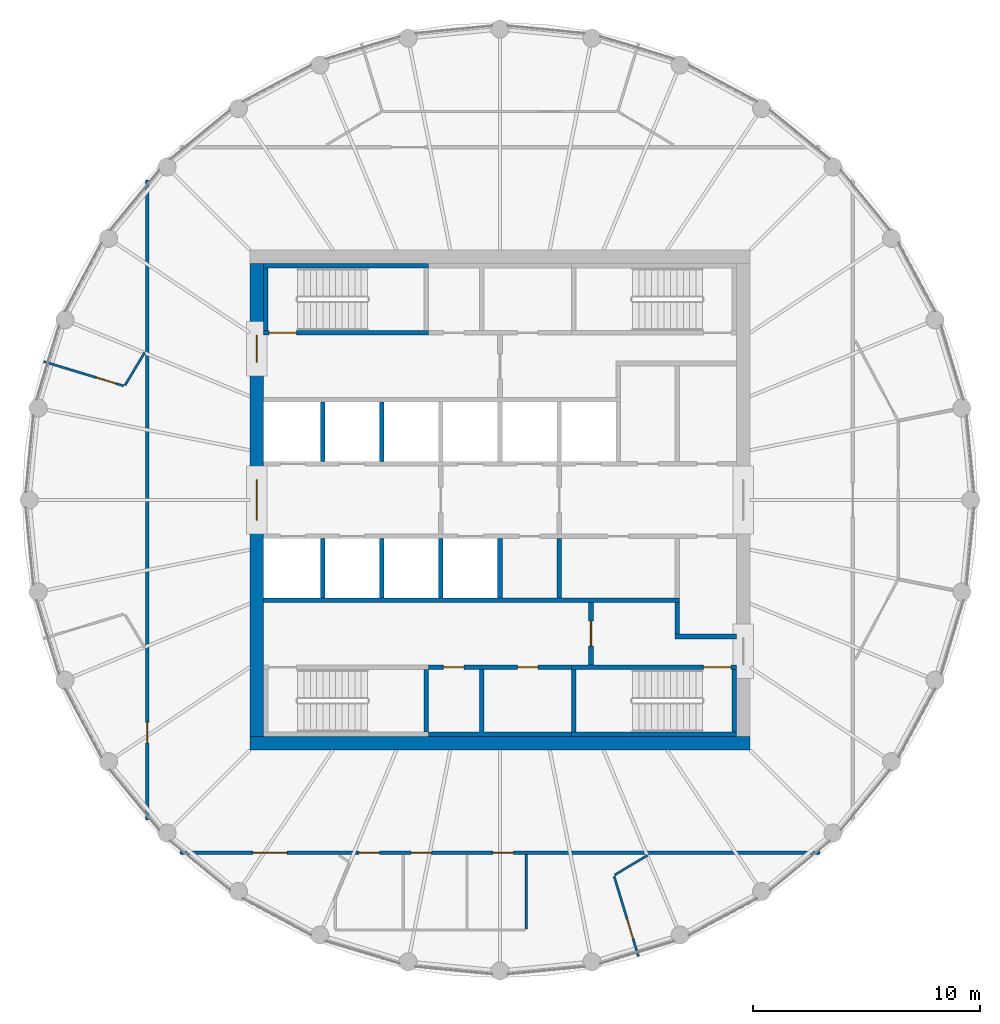
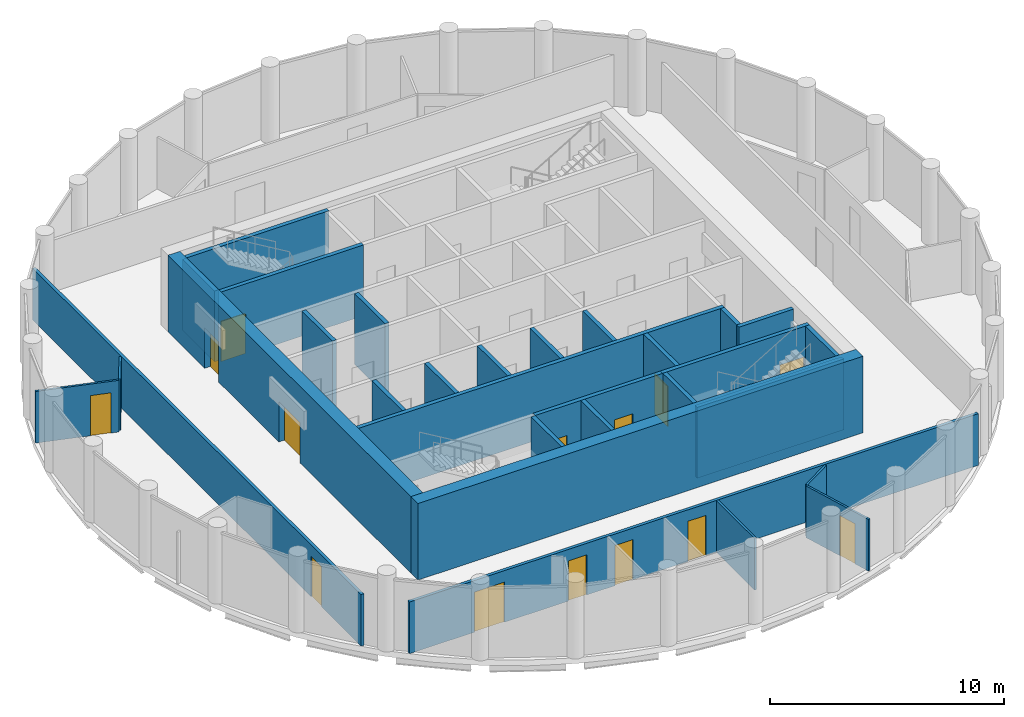
# One storey, part 4 of 7: 30 walls, 14 doors, 14 openings.
"""IFC4 building model written with IfcOpenShell, lengths in metres."""

from ifc_helpers import new_model, si_unit, direction, frame, frame_2d, origin, place, context, subcontext, project, spatial, polyline, rectangle, outline, extrude, material, layer, layer_set, type_object, element, fill, save


model = new_model("IFC4")

# Units and contexts
model_context = context("Model", 3, precision=1e-05, world=origin(), true_north=direction((0.0, 1.0)))
body_context = subcontext(model_context, "Body", "Model", "MODEL_VIEW")
ifc_project = project(units=[si_unit("LENGTHUNIT", "METRE"), si_unit("AREAUNIT", "SQUARE_METRE"), si_unit("VOLUMEUNIT", "CUBIC_METRE"), si_unit("PLANEANGLEUNIT", "RADIAN"), si_unit("MASSUNIT", "GRAM", prefix="KILO")], contexts=[model_context])

# Site, building, storey
site_placement = place(None, origin())
site = spatial("IfcSite", under=ifc_project, at=site_placement, CompositionType="ELEMENT")
building_placement = place(site_placement, origin())
building = spatial("IfcBuilding", under=site, at=building_placement, Name="Corvane Civic Tower", CompositionType="ELEMENT")
storey_placement = place(building_placement, frame((0.0, 0.0, 372.5)))
storey = spatial("IfcBuildingStorey", under=building, at=storey_placement, Name="L89", CompositionType="ELEMENT", Elevation=372.5)

# Wall
ifc_material_1 = material(Name="Concrete C40/50", Category="concrete")
ifc_layer_1 = layer(ifc_material_1, 0.60009765625)
ifc_layer_set_1 = layer_set([ifc_layer_1], Name="Concrete C40/50")
wall_type_1 = type_object("IfcWallType", Name="CORE WALL 600 C40/50", PredefinedType="SHEAR", material=ifc_layer_set_1)
wall_1_placement = place(storey_placement, frame((-11.0, -10.699951171875, 0.0), z_axis=(0.0, 0.0, 1.0), x_axis=(1.0, 0.0, 0.0)))
element("IfcWall", 1, at=wall_1_placement, inside=storey, type_object=wall_type_1, Name="W-L89-core-S", PredefinedType="SHEAR", context=body_context, shape_type="SweptSolid", body=[
    extrude(rectangle(XDim=22.0, YDim=0.60009765625, at=frame_2d((11.0, 0.0))), origin(), (0.0, 0.0, 1.0), 4.0),
])

# Wall, openings, doors
wall_2_placement = place(storey_placement, frame((-10.699951171875, -10.39990234375, 0.0), z_axis=(0.0, 0.0, 1.0), x_axis=(0.0, 1.0, 0.0)))
wall_2 = element("IfcWall", 2, at=wall_2_placement, inside=storey, type_object=wall_type_1, Name="W-L89-core-W", PredefinedType="SHEAR", context=body_context, shape_type="SweptSolid", body=[
    extrude(rectangle(XDim=20.7998046875, YDim=0.60009765625, at=frame_2d((10.39990234375, 0.0))), origin(), (0.0, 0.0, 1.0), 4.0),
])
opening_1_placement = place(wall_2_placement, frame((9.5, 0.0, 0.0)))
opening_1 = element("IfcOpeningElement", 3, at=opening_1_placement, cuts=wall_2, Name="Opening L89.C18", PredefinedType="OPENING", context=body_context, shape_type="SweptSolid", body=[
    extrude(rectangle(XDim=1.800048828125, YDim=2.10009765625, at=frame_2d((0.89990234375, 1.050048828125))), frame((0.0, 0.31005859375, 0.0), z_axis=(0.0, -1.0, 0.0), x_axis=(1.0, 0.0, 0.0)), (0.0, 0.0, 1.0), 0.6201171875),
])
opening_2_placement = place(wall_2_placement, frame((16.449951171875, 0.0, 0.0)))
opening_2 = element("IfcOpeningElement", 4, at=opening_2_placement, cuts=wall_2, Name="Opening L89.C20", PredefinedType="OPENING", context=body_context, shape_type="SweptSolid", body=[
    extrude(rectangle(XDim=1.199951171875, YDim=2.10009765625, at=frame_2d((0.60009765625, 1.050048828125))), frame((0.0, 0.31005859375, 0.0), z_axis=(0.0, -1.0, 0.0), x_axis=(1.0, 0.0, 0.0)), (0.0, 0.0, 1.0), 0.6201171875),
])
ifc_material_2 = material(Name="Steel fire door leaf", Category="steel")
door_type_1 = type_object("IfcDoorType", Name="CR-DOOR-CORE-1800", OperationType="DOUBLE_DOOR_SINGLE_SWING", PredefinedType="DOOR", material=ifc_material_2)
door_1_placement = place(opening_1_placement, origin())
door_1 = element("IfcDoor", 5, at=door_1_placement, inside=storey, type_object=door_type_1, Name="L89 door", OperationType="DOUBLE_DOOR_SINGLE_SWING", OverallHeight=2.10009765625, OverallWidth=1.800048828125, PredefinedType="DOOR", context=body_context, shape_type="SweptSolid", body=[
    extrude(rectangle(XDim=1.800048828125, YDim=2.10009765625, at=frame_2d((0.89990234375, 1.050048828125))), frame((0.0, 0.02490234375, 0.0), z_axis=(0.0, -1.0, 0.0), x_axis=(1.0, 0.0, 0.0)), (0.0, 0.0, 1.0), 0.050048828125),
])
fill(opening_1, door_1)
door_2_placement = place(opening_2_placement, origin())
door_2 = element("IfcDoor", 6, at=door_2_placement, inside=storey, type_object=door_type_1, Name="L89 door", OperationType="DOUBLE_DOOR_SINGLE_SWING", OverallHeight=2.10009765625, OverallWidth=1.199951171875, PredefinedType="DOOR", context=body_context, shape_type="SweptSolid", body=[
    extrude(rectangle(XDim=1.199951171875, YDim=2.10009765625, at=frame_2d((0.60009765625, 1.050048828125))), frame((0.0, 0.02490234375, 0.0), z_axis=(0.0, -1.0, 0.0), x_axis=(1.0, 0.0, 0.0)), (0.0, 0.0, 1.0), 0.050048828125),
])
fill(opening_2, door_2)

ifc_material_3 = material(Name="Concrete C30/37", Category="concrete")
ifc_layer_2 = layer(ifc_material_3, 0.199951171875)
ifc_layer_set_2 = layer_set([ifc_layer_2], Name="Concrete C30/37")
wall_type_2 = type_object("IfcWallType", Name="CR-WALL-200", PredefinedType="PARTITIONING", material=ifc_layer_set_2)
wall_3_placement = place(storey_placement, frame((-3.14990234375, -7.35009765625, 0.0), z_axis=(0.0, 0.0, 1.0), x_axis=(1.0, 0.0, 0.0)))
wall_3 = element("IfcWall", 7, at=wall_3_placement, inside=storey, type_object=wall_type_2, Name="L89 core partition wall", PredefinedType="PARTITIONING", context=body_context, shape_type="SweptSolid", body=[
    extrude(rectangle(XDim=6.2998046875, YDim=0.199951171875, at=frame_2d((3.14990234375, 0.0))), origin(), (0.0, 0.0, 1.0), 3.699951171875),
])
opening_3_placement = place(wall_3_placement, frame((0.675048828125, 0.0, 0.0)))
opening_3 = element("IfcOpeningElement", 8, at=opening_3_placement, cuts=wall_3, Name="Opening L89.C08", PredefinedType="OPENING", context=body_context, shape_type="SweptSolid", body=[
    extrude(rectangle(XDim=0.89990234375, YDim=2.10009765625, at=frame_2d((0.449951171875, 1.050048828125))), frame((0.0, 0.10986328125, 0.0), z_axis=(0.0, -1.0, 0.0), x_axis=(1.0, 0.0, 0.0)), (0.0, 0.0, 1.0), 0.219970703125),
])
opening_4_placement = place(wall_3_placement, frame((3.925048828125, 0.0, 0.0)))
opening_4 = element("IfcOpeningElement", 9, at=opening_4_placement, cuts=wall_3, Name="Opening L89.C09", PredefinedType="OPENING", context=body_context, shape_type="SweptSolid", body=[
    extrude(rectangle(XDim=0.89990234375, YDim=2.10009765625, at=frame_2d((0.449951171875, 1.050048828125))), frame((0.0, 0.10986328125, 0.0), z_axis=(0.0, -1.0, 0.0), x_axis=(1.0, 0.0, 0.0)), (0.0, 0.0, 1.0), 0.219970703125),
])
ifc_material_4 = material(Name="Steel fire door leaf", Category="steel")
door_type_2 = type_object("IfcDoorType", Name="CR-DOOR-900", OperationType="SINGLE_SWING_LEFT", PredefinedType="DOOR", material=ifc_material_4)
door_3_placement = place(opening_3_placement, origin())
door_3 = element("IfcDoor", 10, at=door_3_placement, inside=storey, type_object=door_type_2, Name="L89 door", OperationType="SINGLE_SWING_LEFT", OverallHeight=2.10009765625, OverallWidth=0.89990234375, PredefinedType="DOOR", context=body_context, shape_type="SweptSolid", body=[
    extrude(rectangle(XDim=0.89990234375, YDim=2.10009765625, at=frame_2d((0.449951171875, 1.050048828125))), frame((0.0, 0.02490234375, 0.0), z_axis=(0.0, -1.0, 0.0), x_axis=(1.0, 0.0, 0.0)), (0.0, 0.0, 1.0), 0.050048828125),
])
fill(opening_3, door_3)
door_4_placement = place(opening_4_placement, origin())
door_4 = element("IfcDoor", 11, at=door_4_placement, inside=storey, type_object=door_type_2, Name="L89 door", OperationType="SINGLE_SWING_LEFT", OverallHeight=2.10009765625, OverallWidth=0.89990234375, PredefinedType="DOOR", context=body_context, shape_type="SweptSolid", body=[
    extrude(rectangle(XDim=0.89990234375, YDim=2.10009765625, at=frame_2d((0.449951171875, 1.050048828125))), frame((0.0, 0.02490234375, 0.0), z_axis=(0.0, -1.0, 0.0), x_axis=(1.0, 0.0, 0.0)), (0.0, 0.0, 1.0), 0.050048828125),
])
fill(opening_4, door_4)

# Wall, opening, door
wall_4_placement = place(storey_placement, frame((4.0, -7.25, 0.0), z_axis=(0.0, 0.0, 1.0), x_axis=(0.0, 1.0, 0.0)))
wall_4 = element("IfcWall", 12, at=wall_4_placement, inside=storey, type_object=wall_type_2, Name="L89 core partition wall", PredefinedType="PARTITIONING", context=body_context, shape_type="SweptSolid", body=[
    extrude(rectangle(XDim=2.75, YDim=0.199951171875, at=frame_2d((1.375, 0.0))), origin(), (0.0, 0.0, 1.0), 3.699951171875),
])
opening_5_placement = place(wall_4_placement, frame((0.824951171875, 0.0, 0.0)))
opening_5 = element("IfcOpeningElement", 13, at=opening_5_placement, cuts=wall_4, Name="Opening L89.C17", PredefinedType="OPENING", context=body_context, shape_type="SweptSolid", body=[
    extrude(rectangle(XDim=1.10009765625, YDim=2.10009765625, at=frame_2d((0.550048828125, 1.050048828125))), frame((0.0, 0.10986328125, 0.0), z_axis=(0.0, -1.0, 0.0), x_axis=(1.0, 0.0, 0.0)), (0.0, 0.0, 1.0), 0.219970703125),
])
ifc_material_5 = material(Name="Steel fire door leaf", Category="steel")
door_type_3 = type_object("IfcDoorType", Name="CR-DOOR-FFL-1100", OperationType="SINGLE_SWING_LEFT", PredefinedType="DOOR", material=ifc_material_5)
door_5_placement = place(opening_5_placement, origin())
door_5 = element("IfcDoor", 14, at=door_5_placement, inside=storey, type_object=door_type_3, Name="L89 lobby door", OperationType="SINGLE_SWING_LEFT", OverallHeight=2.10009765625, OverallWidth=1.10009765625, PredefinedType="DOOR", context=body_context, shape_type="SweptSolid", body=[
    extrude(rectangle(XDim=1.10009765625, YDim=2.10009765625, at=frame_2d((0.550048828125, 1.050048828125))), frame((0.0, 0.02490234375, 0.0), z_axis=(0.0, -1.0, 0.0), x_axis=(1.0, 0.0, 0.0)), (0.0, 0.0, 1.0), 0.050048828125),
])
fill(opening_5, door_5)

# Walls
wall_5_placement = place(storey_placement, origin())
element("IfcWall", 15, at=wall_5_placement, inside=storey, type_object=wall_type_2, Name="L89 core partition wall", PredefinedType="PARTITIONING", context=body_context, shape_type="SweptSolid", body=[
    extrude(outline(polyline([(7.89990234375, -4.300048828125), (7.89990234375, -4.5), (-10.39990234375, -4.5), (-10.39990234375, -4.300048828125), (7.89990234375, -4.300048828125)])), origin(), (0.0, 0.0, 1.0), 3.699951171875),
])
wall_6_placement = place(storey_placement, origin())
element("IfcWall", 16, at=wall_6_placement, inside=storey, type_object=wall_type_2, Name="L89 core partition wall", PredefinedType="PARTITIONING", context=body_context, shape_type="SweptSolid", body=[
    extrude(outline(polyline([(10.39990234375, -6.10009765625), (7.699951171875, -6.10009765625), (7.699951171875, -5.89990234375), (10.39990234375, -5.89990234375), (10.39990234375, -6.10009765625)])), origin(), (0.0, 0.0, 1.0), 3.699951171875),
])
wall_7_placement = place(storey_placement, origin())
element("IfcWall", 17, at=wall_7_placement, inside=storey, type_object=wall_type_2, Name="L89 core partition wall", PredefinedType="PARTITIONING", context=body_context, shape_type="SweptSolid", body=[
    extrude(outline(polyline([(-2.5, -1.699951171875), (-2.5, -4.2998046875), (-2.699951171875, -4.2998046875), (-2.699951171875, -1.699951171875), (-2.5, -1.699951171875)])), origin(), (0.0, 0.0, 1.0), 3.699951171875),
])
wall_8_placement = place(storey_placement, origin())
element("IfcWall", 18, at=wall_8_placement, inside=storey, type_object=wall_type_2, Name="L89 core partition wall", PredefinedType="PARTITIONING", context=body_context, shape_type="SweptSolid", body=[
    extrude(outline(polyline([(2.699951171875, -1.699951171875), (2.699951171875, -4.2998046875), (2.5, -4.2998046875), (2.5, -1.699951171875), (2.699951171875, -1.699951171875)])), origin(), (0.0, 0.0, 1.0), 3.699951171875),
])
wall_9_placement = place(storey_placement, origin())
element("IfcWall", 19, at=wall_9_placement, inside=storey, type_object=wall_type_2, Name="L89 core partition wall", PredefinedType="PARTITIONING", context=body_context, shape_type="SweptSolid", body=[
    extrude(outline(polyline([(0.10009765625, -1.699951171875), (0.10009765625, -4.2998046875), (-0.10009765625, -4.2998046875), (-0.10009765625, -1.699951171875), (0.10009765625, -1.699951171875)])), origin(), (0.0, 0.0, 1.0), 3.699951171875),
])
wall_10_placement = place(storey_placement, origin())
element("IfcWall", 20, at=wall_10_placement, inside=storey, type_object=wall_type_2, Name="L89 core partition wall", PredefinedType="PARTITIONING", context=body_context, shape_type="SweptSolid", body=[
    extrude(outline(polyline([(-7.699951171875, -1.699951171875), (-7.699951171875, -4.2998046875), (-7.89990234375, -4.2998046875), (-7.89990234375, -1.699951171875), (-7.699951171875, -1.699951171875)])), origin(), (0.0, 0.0, 1.0), 3.699951171875),
])
wall_11_placement = place(storey_placement, origin())
element("IfcWall", 21, at=wall_11_placement, inside=storey, type_object=wall_type_2, Name="L89 core partition wall", PredefinedType="PARTITIONING", context=body_context, shape_type="SweptSolid", body=[
    extrude(outline(polyline([(-5.10009765625, -1.699951171875), (-5.10009765625, -4.2998046875), (-5.300048828125, -4.2998046875), (-5.300048828125, -1.699951171875), (-5.10009765625, -1.699951171875)])), origin(), (0.0, 0.0, 1.0), 3.699951171875),
])
wall_12_placement = place(storey_placement, origin())
element("IfcWall", 22, at=wall_12_placement, inside=storey, type_object=wall_type_2, Name="L89 core partition wall", PredefinedType="PARTITIONING", context=body_context, shape_type="SweptSolid", body=[
    extrude(outline(polyline([(7.89990234375, -5.89990234375), (7.699951171875, -5.89990234375), (7.699951171875, -4.5), (7.89990234375, -4.5), (7.89990234375, -5.89990234375)])), origin(), (0.0, 0.0, 1.0), 3.699951171875),
])
wall_13_placement = place(storey_placement, origin())
element("IfcWall", 23, at=wall_13_placement, inside=storey, type_object=wall_type_2, Name="L89 core partition wall", PredefinedType="PARTITIONING", context=body_context, shape_type="SweptSolid", body=[
    extrude(outline(polyline([(-7.699951171875, 1.699951171875), (-7.89990234375, 1.699951171875), (-7.89990234375, 4.2998046875), (-7.699951171875, 4.2998046875), (-7.699951171875, 1.699951171875)])), origin(), (0.0, 0.0, 1.0), 3.699951171875),
])
wall_14_placement = place(storey_placement, origin())
element("IfcWall", 24, at=wall_14_placement, inside=storey, type_object=wall_type_2, Name="L89 core partition wall", PredefinedType="PARTITIONING", context=body_context, shape_type="SweptSolid", body=[
    extrude(outline(polyline([(-5.10009765625, 1.699951171875), (-5.300048828125, 1.699951171875), (-5.300048828125, 4.2998046875), (-5.10009765625, 4.2998046875), (-5.10009765625, 1.699951171875)])), origin(), (0.0, 0.0, 1.0), 3.699951171875),
])
wall_15_placement = place(storey_placement, origin())
element("IfcWall", 25, at=wall_15_placement, inside=storey, type_object=wall_type_2, Name="L89 core partition wall", PredefinedType="PARTITIONING", context=body_context, shape_type="SweptSolid", body=[
    extrude(outline(polyline([(-0.699951171875, -7.449951171875), (-0.699951171875, -10.199951171875), (3.14990234375, -10.199951171875), (3.14990234375, -10.39990234375), (-3.14990234375, -10.39990234375), (-3.14990234375, -10.199951171875), (-0.89990234375, -10.199951171875), (-0.89990234375, -7.449951171875), (-0.699951171875, -7.449951171875)])), origin(), (0.0, 0.0, 1.0), 3.699951171875),
])

# Wall, opening, door
ifc_material_6 = material(Name="Plasterboard")
ifc_layer_3 = layer(ifc_material_6, 0.10009765625)
ifc_layer_set_3 = layer_set([ifc_layer_3], Name="Plasterboard")
wall_type_3 = type_object("IfcWallType", Name="Partition 100 plasterboard on studs", PredefinedType="PARTITIONING", material=ifc_layer_set_3)
wall_16_placement = place(storey_placement, frame((5.017578125, -16.54052734375, 0.0), z_axis=(0.0, 0.0, 1.0), x_axis=(0.290273588245, -0.956943699476, 0.0)))
wall_16 = element("IfcWall", 26, at=wall_16_placement, inside=storey, type_object=wall_type_3, Name="Partition L89.001", PredefinedType="PARTITIONING", context=body_context, shape_type="SweptSolid", body=[
    extrude(rectangle(XDim=3.665283203125, YDim=0.10009765625, at=frame_2d((1.83251953125, 0.0))), origin(), (0.0, 0.0, 1.0), 2.699951171875),
])
opening_6_placement = place(wall_16_placement, frame((1.970458984375, 0.0, 0.0)))
opening_6 = element("IfcOpeningElement", 27, at=opening_6_placement, cuts=wall_16, Name="Opening L89.009", PredefinedType="OPENING", context=body_context, shape_type="SweptSolid", body=[
    extrude(rectangle(XDim=0.89990234375, YDim=2.10009765625, at=frame_2d((0.449951171875, 1.050048828125))), frame((0.0, 0.06005859375, 0.0), z_axis=(0.0, -1.0, 0.0), x_axis=(1.0, 0.0, 0.0)), (0.0, 0.0, 1.0), 0.1201171875),
])
ifc_material_7 = material(Name="Timber", Category="wood")
door_type_4 = type_object("IfcDoorType", Name="Single door 900", OperationType="NOTDEFINED", PredefinedType="DOOR", material=ifc_material_7)
door_6_placement = place(opening_6_placement, origin())
door_6 = element("IfcDoor", 28, at=door_6_placement, inside=storey, type_object=door_type_4, Name="Door L89.009", OperationType="SINGLE_SWING_RIGHT", OverallHeight=2.10009765625, OverallWidth=0.89990234375, PredefinedType="DOOR", context=body_context, shape_type="SweptSolid", body=[
    extrude(rectangle(XDim=0.89990234375, YDim=2.10009765625, at=frame_2d((0.449951171875, 1.050048828125))), frame((0.0, 0.02490234375, 0.0), z_axis=(0.0, -1.0, 0.0), x_axis=(1.0, 0.0, 0.0)), (0.0, 0.0, 1.0), 0.050048828125),
])
fill(opening_6, door_6)

# Walls
wall_17_placement = place(storey_placement, frame((1.15234375, -18.85009765625, 0.0), z_axis=(0.0, 0.0, 1.0), x_axis=(0.0, 1.0, 0.0)))
element("IfcWall", 29, at=wall_17_placement, inside=storey, type_object=wall_type_3, Name="Partition L89.006", PredefinedType="PARTITIONING", context=body_context, shape_type="SweptSolid", body=[
    extrude(rectangle(XDim=3.275146484375, YDim=0.10009765625, at=frame_2d((1.6376953125, 0.0))), origin(), (0.0, 0.0, 1.0), 2.699951171875),
])
wall_18_placement = place(storey_placement, frame((5.03955078125, -16.483154296875, 0.0), z_axis=(0.0, 0.0, 1.0), x_axis=(0.857736017679, 0.514090385025, 0.0)))
element("IfcWall", 30, at=wall_18_placement, inside=storey, type_object=wall_type_3, Name="Partition L89.008", PredefinedType="PARTITIONING", context=body_context, shape_type="SweptSolid", body=[
    extrude(rectangle(XDim=1.68310546875, YDim=0.10009765625, at=frame_2d((0.841552734375, 0.0))), origin(), (0.0, 0.0, 1.0), 2.699951171875),
])

# Wall, opening, door
wall_19_placement = place(storey_placement, frame((-20.048095703125, 6.08154296875, 0.0), z_axis=(0.0, 0.0, 1.0), x_axis=(0.956943699476, -0.290273588245, 0.0)))
wall_19 = element("IfcWall", 31, at=wall_19_placement, inside=storey, type_object=wall_type_3, Name="Partition L89.020", PredefinedType="PARTITIONING", context=body_context, shape_type="SweptSolid", body=[
    extrude(rectangle(XDim=3.665283203125, YDim=0.10009765625, at=frame_2d((1.83251953125, 0.0))), origin(), (0.0, 0.0, 1.0), 2.699951171875),
])
opening_7_placement = place(wall_19_placement, frame((2.416259765625, 0.0, 0.0)))
opening_7 = element("IfcOpeningElement", 32, at=opening_7_placement, cuts=wall_19, Name="Opening L89.016", PredefinedType="OPENING", context=body_context, shape_type="SweptSolid", body=[
    extrude(rectangle(XDim=0.89990234375, YDim=2.10009765625, at=frame_2d((0.449951171875, 1.050048828125))), frame((0.0, 0.06005859375, 0.0), z_axis=(0.0, -1.0, 0.0), x_axis=(1.0, 0.0, 0.0)), (0.0, 0.0, 1.0), 0.1201171875),
])
door_7_placement = place(opening_7_placement, origin())
door_7 = element("IfcDoor", 33, at=door_7_placement, inside=storey, type_object=door_type_4, Name="Door L89.016", OperationType="SINGLE_SWING_LEFT", OverallHeight=2.10009765625, OverallWidth=0.89990234375, PredefinedType="DOOR", context=body_context, shape_type="SweptSolid", body=[
    extrude(rectangle(XDim=0.89990234375, YDim=2.10009765625, at=frame_2d((0.449951171875, 1.050048828125))), frame((0.0, 0.02490234375, 0.0), z_axis=(0.0, -1.0, 0.0), x_axis=(1.0, 0.0, 0.0)), (0.0, 0.0, 1.0), 0.050048828125),
])
fill(opening_7, door_7)

# Wall
wall_20_placement = place(storey_placement, frame((-16.483154296875, 5.03955078125, 0.0), z_axis=(0.0, 0.0, 1.0), x_axis=(0.514090385025, 0.857736017679, 0.0)))
element("IfcWall", 34, at=wall_20_placement, inside=storey, type_object=wall_type_3, Name="Partition L89.021", PredefinedType="PARTITIONING", context=body_context, shape_type="SweptSolid", body=[
    extrude(rectangle(XDim=1.68310546875, YDim=0.10009765625, at=frame_2d((0.841552734375, 0.0))), origin(), (0.0, 0.0, 1.0), 2.699951171875),
])

# Wall, opening, door
ifc_material_8 = material(Name="Concrete C50/60", Category="concrete")
ifc_layer_4 = layer(ifc_material_8, 0.199951171875)
ifc_layer_set_4 = layer_set([ifc_layer_4], Name="Concrete C50/60")
wall_type_4 = type_object("IfcWallType", Name="ST-WALL-200", PredefinedType="SHEAR", material=ifc_layer_set_4)
wall_21_placement = place(storey_placement, frame((3.14990234375, -7.35009765625, 0.0), z_axis=(0.0, 0.0, 1.0), x_axis=(1.0, 0.0, 0.0)))
wall_21 = element("IfcWall", 35, at=wall_21_placement, inside=storey, type_object=wall_type_4, Name="L89 stair enclosure wall", PredefinedType="SHEAR", context=body_context, shape_type="SweptSolid", body=[
    extrude(rectangle(XDim=7.25, YDim=0.199951171875, at=frame_2d((3.625, 0.0))), origin(), (0.0, 0.0, 1.0), 3.699951171875),
])
opening_8_placement = place(wall_21_placement, frame((5.800048828125, 0.0, 0.0)))
opening_8 = element("IfcOpeningElement", 36, at=opening_8_placement, cuts=wall_21, Name="Opening L89.C12", PredefinedType="OPENING", context=body_context, shape_type="SweptSolid", body=[
    extrude(rectangle(XDim=1.199951171875, YDim=2.10009765625, at=frame_2d((0.60009765625, 1.050048828125))), frame((0.0, 0.10986328125, 0.0), z_axis=(0.0, -1.0, 0.0), x_axis=(1.0, 0.0, 0.0)), (0.0, 0.0, 1.0), 0.219970703125),
])
ifc_material_9 = material(Name="Steel fire door leaf", Category="steel")
door_type_5 = type_object("IfcDoorType", Name="ST-DOOR-1200", OperationType="SINGLE_SWING_RIGHT", PredefinedType="DOOR", material=ifc_material_9)
door_8_placement = place(opening_8_placement, origin())
door_8 = element("IfcDoor", 37, at=door_8_placement, inside=storey, type_object=door_type_5, Name="L89 stair door", OperationType="SINGLE_SWING_RIGHT", OverallHeight=2.10009765625, OverallWidth=1.199951171875, PredefinedType="DOOR", context=body_context, shape_type="SweptSolid", body=[
    extrude(rectangle(XDim=1.199951171875, YDim=2.10009765625, at=frame_2d((0.60009765625, 1.050048828125))), frame((0.0, 0.02490234375, 0.0), z_axis=(0.0, -1.0, 0.0), x_axis=(1.0, 0.0, 0.0)), (0.0, 0.0, 1.0), 0.050048828125),
])
fill(opening_8, door_8)

wall_22_placement = place(storey_placement, frame((-10.39990234375, 7.35009765625, 0.0), z_axis=(0.0, 0.0, 1.0), x_axis=(1.0, 0.0, 0.0)))
wall_22 = element("IfcWall", 38, at=wall_22_placement, inside=storey, type_object=wall_type_4, Name="L89 stair enclosure wall", PredefinedType="SHEAR", context=body_context, shape_type="SweptSolid", body=[
    extrude(rectangle(XDim=7.25, YDim=0.199951171875, at=frame_2d((3.625, 0.0))), origin(), (0.0, 0.0, 1.0), 3.699951171875),
])
opening_9_placement = place(wall_22_placement, frame((0.25, 0.0, 0.0)))
opening_9 = element("IfcOpeningElement", 39, at=opening_9_placement, cuts=wall_22, Name="Opening L89.C11", PredefinedType="OPENING", context=body_context, shape_type="SweptSolid", body=[
    extrude(rectangle(XDim=1.199951171875, YDim=2.10009765625, at=frame_2d((0.60009765625, 1.050048828125))), frame((0.0, 0.10986328125, 0.0), z_axis=(0.0, -1.0, 0.0), x_axis=(1.0, 0.0, 0.0)), (0.0, 0.0, 1.0), 0.219970703125),
])
door_9_placement = place(opening_9_placement, origin())
door_9 = element("IfcDoor", 40, at=door_9_placement, inside=storey, type_object=door_type_5, Name="L89 stair door", OperationType="SINGLE_SWING_RIGHT", OverallHeight=2.10009765625, OverallWidth=1.199951171875, PredefinedType="DOOR", context=body_context, shape_type="SweptSolid", body=[
    extrude(rectangle(XDim=1.199951171875, YDim=2.10009765625, at=frame_2d((0.60009765625, 1.050048828125))), frame((0.0, 0.02490234375, 0.0), z_axis=(0.0, -1.0, 0.0), x_axis=(1.0, 0.0, 0.0)), (0.0, 0.0, 1.0), 0.050048828125),
])
fill(opening_9, door_9)

# Walls
wall_23_placement = place(storey_placement, origin())
element("IfcWall", 41, at=wall_23_placement, inside=storey, type_object=wall_type_4, Name="L89 stair enclosure wall", PredefinedType="SHEAR", context=body_context, shape_type="SweptSolid", body=[
    extrude(outline(polyline([(-3.14990234375, 10.199951171875), (-10.39990234375, 10.199951171875), (-10.39990234375, 10.39990234375), (-3.14990234375, 10.39990234375), (-3.14990234375, 10.199951171875)])), origin(), (0.0, 0.0, 1.0), 3.699951171875),
])
wall_24_placement = place(storey_placement, origin())
element("IfcWall", 42, at=wall_24_placement, inside=storey, type_object=wall_type_4, Name="L89 stair enclosure wall", PredefinedType="SHEAR", context=body_context, shape_type="SweptSolid", body=[
    extrude(outline(polyline([(10.39990234375, -10.39990234375), (3.14990234375, -10.39990234375), (3.14990234375, -10.199951171875), (10.39990234375, -10.199951171875), (10.39990234375, -10.39990234375)])), origin(), (0.0, 0.0, 1.0), 3.699951171875),
])
wall_25_placement = place(storey_placement, origin())
element("IfcWall", 43, at=wall_25_placement, inside=storey, type_object=wall_type_4, Name="L89 stair enclosure wall", PredefinedType="SHEAR", context=body_context, shape_type="SweptSolid", body=[
    extrude(outline(polyline([(-3.14990234375, -7.449951171875), (-3.14990234375, -10.199951171875), (-3.35009765625, -10.199951171875), (-3.35009765625, -7.449951171875), (-3.14990234375, -7.449951171875)])), origin(), (0.0, 0.0, 1.0), 3.699951171875),
])
wall_26_placement = place(storey_placement, origin())
element("IfcWall", 44, at=wall_26_placement, inside=storey, type_object=wall_type_4, Name="L89 stair enclosure wall", PredefinedType="SHEAR", context=body_context, shape_type="SweptSolid", body=[
    extrude(outline(polyline([(3.35009765625, -7.449951171875), (3.35009765625, -10.199951171875), (3.14990234375, -10.199951171875), (3.14990234375, -7.449951171875), (3.35009765625, -7.449951171875)])), origin(), (0.0, 0.0, 1.0), 3.699951171875),
])
wall_27_placement = place(storey_placement, origin())
element("IfcWall", 45, at=wall_27_placement, inside=storey, type_object=wall_type_4, Name="L89 stair enclosure wall", PredefinedType="SHEAR", context=body_context, shape_type="SweptSolid", body=[
    extrude(outline(polyline([(-10.199951171875, 7.449951171875), (-10.39990234375, 7.449951171875), (-10.39990234375, 10.199951171875), (-10.199951171875, 10.199951171875), (-10.199951171875, 7.449951171875)])), origin(), (0.0, 0.0, 1.0), 3.699951171875),
])
wall_28_placement = place(storey_placement, origin())
element("IfcWall", 46, at=wall_28_placement, inside=storey, type_object=wall_type_4, Name="L89 stair enclosure wall", PredefinedType="SHEAR", context=body_context, shape_type="SweptSolid", body=[
    extrude(outline(polyline([(10.39990234375, -7.449951171875), (10.39990234375, -10.199951171875), (10.199951171875, -10.199951171875), (10.199951171875, -7.449951171875), (10.39990234375, -7.449951171875)])), origin(), (0.0, 0.0, 1.0), 3.699951171875),
])

# Wall, openings, doors
ifc_material_10 = material(Name="Plasterboard")
ifc_layer_5 = layer(ifc_material_10, 0.14990234375)
ifc_layer_set_5 = layer_set([ifc_layer_5], Name="Plasterboard")
wall_type_5 = type_object("IfcWallType", Name="Tenancy wall 150 EI 60", PredefinedType="PARTITIONING", material=ifc_layer_set_5)
wall_29_placement = place(storey_placement, frame((-14.05712890625, -15.5, 0.0), z_axis=(0.0, 0.0, 1.0), x_axis=(1.0, 0.0, 0.0)))
wall_29 = element("IfcWall", 47, at=wall_29_placement, inside=storey, type_object=wall_type_5, Name="Partition L89.010", PredefinedType="PARTITIONING", context=body_context, shape_type="SweptSolid", body=[
    extrude(rectangle(XDim=28.1142578125, YDim=0.14990234375, at=frame_2d((14.05712890625, 0.0))), origin(), (0.0, 0.0, 1.0), 2.699951171875),
])
opening_10_placement = place(wall_29_placement, frame((3.200439453125, 0.0, 0.0)))
opening_10 = element("IfcOpeningElement", 48, at=opening_10_placement, cuts=wall_29, Name="Opening L89.010", PredefinedType="OPENING", context=body_context, shape_type="SweptSolid", body=[
    extrude(rectangle(XDim=1.5, YDim=2.10009765625, at=frame_2d((0.75, 1.050048828125))), frame((0.0, 0.0849609375, 0.0), z_axis=(0.0, -1.0, 0.0), x_axis=(1.0, 0.0, 0.0)), (0.0, 0.0, 1.0), 0.169921875),
])
opening_11_placement = place(wall_29_placement, frame((7.859619140625, 0.0, 0.0)))
opening_11 = element("IfcOpeningElement", 49, at=opening_11_placement, cuts=wall_29, Name="Opening L89.011", PredefinedType="OPENING", context=body_context, shape_type="SweptSolid", body=[
    extrude(rectangle(XDim=0.89990234375, YDim=2.10009765625, at=frame_2d((0.449951171875, 1.050048828125))), frame((0.0, 0.0849609375, 0.0), z_axis=(0.0, -1.0, 0.0), x_axis=(1.0, 0.0, 0.0)), (0.0, 0.0, 1.0), 0.169921875),
])
opening_12_placement = place(wall_29_placement, frame((10.15234375, 0.0, 0.0)))
opening_12 = element("IfcOpeningElement", 50, at=opening_12_placement, cuts=wall_29, Name="Opening L89.012", PredefinedType="OPENING", context=body_context, shape_type="SweptSolid", body=[
    extrude(rectangle(XDim=0.89990234375, YDim=2.10009765625, at=frame_2d((0.449951171875, 1.050048828125))), frame((0.0, 0.0849609375, 0.0), z_axis=(0.0, -1.0, 0.0), x_axis=(1.0, 0.0, 0.0)), (0.0, 0.0, 1.0), 0.169921875),
])
opening_13_placement = place(wall_29_placement, frame((13.7607421875, 0.0, 0.0)))
opening_13 = element("IfcOpeningElement", 51, at=opening_13_placement, cuts=wall_29, Name="Opening L89.013", PredefinedType="OPENING", context=body_context, shape_type="SweptSolid", body=[
    extrude(rectangle(XDim=0.89990234375, YDim=2.10009765625, at=frame_2d((0.449951171875, 1.050048828125))), frame((0.0, 0.0849609375, 0.0), z_axis=(0.0, -1.0, 0.0), x_axis=(1.0, 0.0, 0.0)), (0.0, 0.0, 1.0), 0.169921875),
])
ifc_material_11 = material(Name="Steel and timber", Category="steel")
door_type_6 = type_object("IfcDoorType", Name="Fire door FD30S 900", OperationType="NOTDEFINED", PredefinedType="DOOR", material=ifc_material_11)
door_10_placement = place(opening_11_placement, frame((0.89990234375, 0.0, 0.0), z_axis=(0.0, 0.0, 1.0), x_axis=(-1.0, 0.0, 0.0)))
door_10 = element("IfcDoor", 52, at=door_10_placement, inside=storey, type_object=door_type_6, Name="Door L89.011", OperationType="SINGLE_SWING_LEFT", OverallHeight=2.10009765625, OverallWidth=0.89990234375, PredefinedType="DOOR", context=body_context, shape_type="SweptSolid", body=[
    extrude(rectangle(XDim=0.89990234375, YDim=2.10009765625, at=frame_2d((0.449951171875, 1.050048828125))), frame((0.0, 0.02490234375, 0.0), z_axis=(0.0, -1.0, 0.0), x_axis=(1.0, 0.0, 0.0)), (0.0, 0.0, 1.0), 0.050048828125),
])
fill(opening_11, door_10)
door_11_placement = place(opening_12_placement, frame((0.89990234375, 0.0, 0.0), z_axis=(0.0, 0.0, 1.0), x_axis=(-1.0, 0.0, 0.0)))
door_11 = element("IfcDoor", 53, at=door_11_placement, inside=storey, type_object=door_type_6, Name="Door L89.012", OperationType="SINGLE_SWING_RIGHT", OverallHeight=2.10009765625, OverallWidth=0.89990234375, PredefinedType="DOOR", context=body_context, shape_type="SweptSolid", body=[
    extrude(rectangle(XDim=0.89990234375, YDim=2.10009765625, at=frame_2d((0.449951171875, 1.050048828125))), frame((0.0, 0.02490234375, 0.0), z_axis=(0.0, -1.0, 0.0), x_axis=(1.0, 0.0, 0.0)), (0.0, 0.0, 1.0), 0.050048828125),
])
fill(opening_12, door_11)
door_12_placement = place(opening_13_placement, frame((0.89990234375, 0.0, 0.0), z_axis=(0.0, 0.0, 1.0), x_axis=(-1.0, 0.0, 0.0)))
door_12 = element("IfcDoor", 54, at=door_12_placement, inside=storey, type_object=door_type_6, Name="Door L89.013", OperationType="SINGLE_SWING_LEFT", OverallHeight=2.10009765625, OverallWidth=0.89990234375, PredefinedType="DOOR", context=body_context, shape_type="SweptSolid", body=[
    extrude(rectangle(XDim=0.89990234375, YDim=2.10009765625, at=frame_2d((0.449951171875, 1.050048828125))), frame((0.0, 0.02490234375, 0.0), z_axis=(0.0, -1.0, 0.0), x_axis=(1.0, 0.0, 0.0)), (0.0, 0.0, 1.0), 0.050048828125),
])
fill(opening_13, door_12)
ifc_material_12 = material(Name="Steel and timber", Category="steel")
door_type_7 = type_object("IfcDoorType", Name="Fire door FD60 double 1500", OperationType="NOTDEFINED", PredefinedType="DOOR", material=ifc_material_12)
door_13_placement = place(opening_10_placement, frame((1.5, 0.0, 0.0), z_axis=(0.0, 0.0, 1.0), x_axis=(-1.0, 0.0, 0.0)))
door_13 = element("IfcDoor", 55, at=door_13_placement, inside=storey, type_object=door_type_7, Name="Door L89.010", OperationType="DOUBLE_DOOR_SINGLE_SWING", OverallHeight=2.10009765625, OverallWidth=1.5, PredefinedType="DOOR", context=body_context, shape_type="SweptSolid", body=[
    extrude(rectangle(XDim=1.5, YDim=2.10009765625, at=frame_2d((0.75, 1.050048828125))), frame((0.0, 0.02490234375, 0.0), z_axis=(0.0, -1.0, 0.0), x_axis=(1.0, 0.0, 0.0)), (0.0, 0.0, 1.0), 0.050048828125),
])
fill(opening_10, door_13)

# Wall, opening, door
wall_30_placement = place(storey_placement, frame((-15.5, -14.05712890625, 0.0), z_axis=(0.0, 0.0, 1.0), x_axis=(0.0, 1.0, 0.0)))
wall_30 = element("IfcWall", 56, at=wall_30_placement, inside=storey, type_object=wall_type_5, Name="Partition L89.011", PredefinedType="PARTITIONING", context=body_context, shape_type="SweptSolid", body=[
    extrude(rectangle(XDim=28.1142578125, YDim=0.14990234375, at=frame_2d((14.05712890625, 0.0))), origin(), (0.0, 0.0, 1.0), 2.699951171875),
])
opening_14_placement = place(wall_30_placement, frame((3.385986328125, 0.0, 0.0)))
opening_14 = element("IfcOpeningElement", 57, at=opening_14_placement, cuts=wall_30, Name="Opening L89.014", PredefinedType="OPENING", context=body_context, shape_type="SweptSolid", body=[
    extrude(rectangle(XDim=0.89990234375, YDim=2.10009765625, at=frame_2d((0.449951171875, 1.050048828125))), frame((0.0, 0.0849609375, 0.0), z_axis=(0.0, -1.0, 0.0), x_axis=(1.0, 0.0, 0.0)), (0.0, 0.0, 1.0), 0.169921875),
])
door_14_placement = place(opening_14_placement, origin())
door_14 = element("IfcDoor", 58, at=door_14_placement, inside=storey, type_object=door_type_6, Name="Door L89.014", OperationType="SINGLE_SWING_LEFT", OverallHeight=2.10009765625, OverallWidth=0.89990234375, PredefinedType="DOOR", context=body_context, shape_type="SweptSolid", body=[
    extrude(rectangle(XDim=0.89990234375, YDim=2.10009765625, at=frame_2d((0.449951171875, 1.050048828125))), frame((0.0, 0.02490234375, 0.0), z_axis=(0.0, -1.0, 0.0), x_axis=(1.0, 0.0, 0.0)), (0.0, 0.0, 1.0), 0.050048828125),
])
fill(opening_14, door_14)

save(model, "model.ifc")
